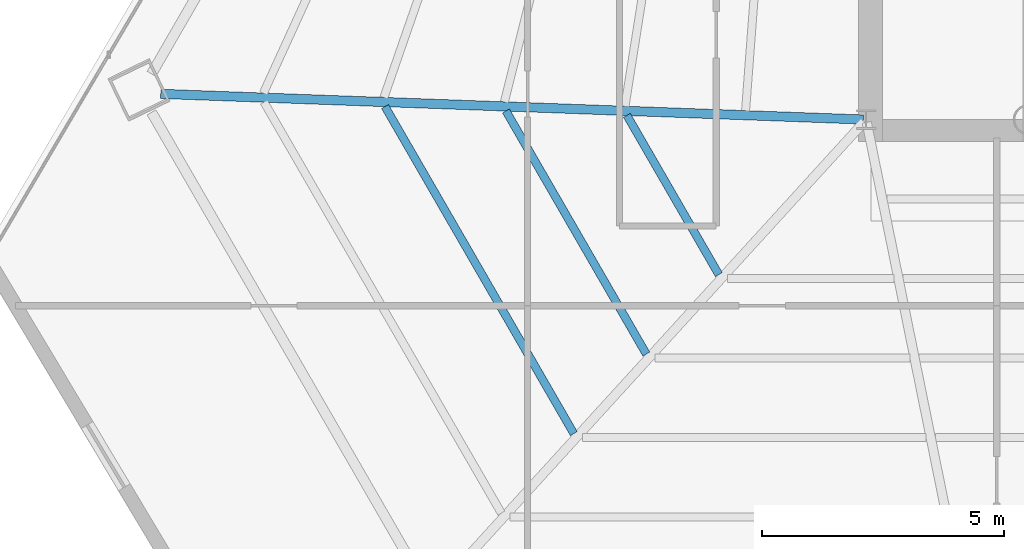
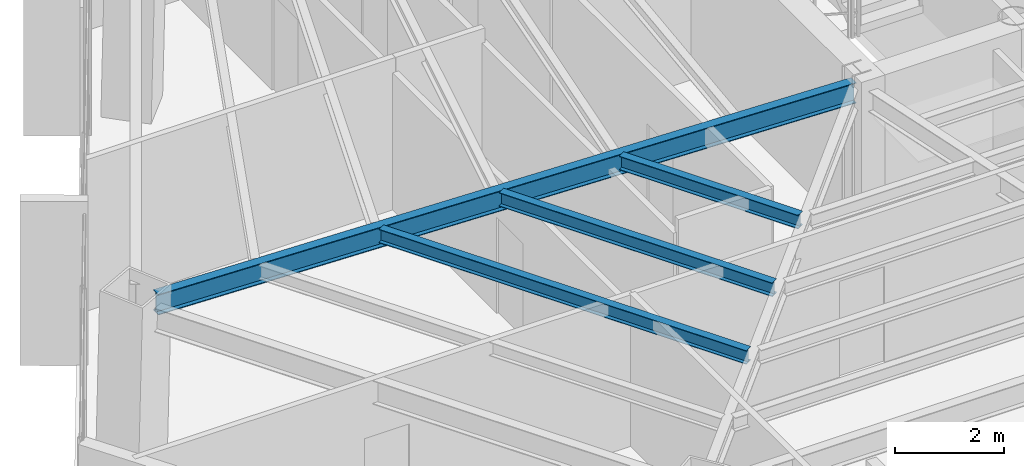
# One storey, part 7 of 41: 4 beams.
"""IFC4 building model written with IfcOpenShell, lengths in metres."""

from ifc_helpers import new_model, si_unit, direction, frame, origin, origin_2d, place, context, subcontext, project, spatial, i_section, extrude, source, transform, mapped, material, material_profile, profile_set, type_object, type_shapes, element, save


model = new_model("IFC4")

# Units and contexts
model_context = context("Model", 3, precision=1e-05, world=origin(), true_north=direction((0.0, 1.0)))
body_context = subcontext(model_context, "Body", "Model", "MODEL_VIEW")
ifc_project = project(units=[si_unit("LENGTHUNIT", "METRE"), si_unit("AREAUNIT", "SQUARE_METRE"), si_unit("VOLUMEUNIT", "CUBIC_METRE"), si_unit("PLANEANGLEUNIT", "RADIAN"), si_unit("MASSUNIT", "GRAM", prefix="KILO")], contexts=[model_context])

# Site, building, storey
site_placement = place(None, origin())
site = spatial("IfcSite", under=ifc_project, at=site_placement, CompositionType="ELEMENT")
building_placement = place(site_placement, origin())
building = spatial("IfcBuilding", under=site, at=building_placement, Name="Caelisora Broadcast Tower", CompositionType="ELEMENT")
storey_placement = place(building_placement, frame((0.0, 0.0, 162.14990234375)))
storey = spatial("IfcBuildingStorey", under=building, at=storey_placement, Name="L42", CompositionType="ELEMENT", Elevation=162.14990234375)

# Beams
ifc_material = material(Name="Steel Grade 350 (AS/NZS 3679.1)", Category="steel")
ifc_material_profile_1 = material_profile(ifc_material, i_section(OverallWidth=0.19091796875, OverallDepth=0.46044921875, WebThickness=0.010009765625, FlangeThickness=0.01611328125, at=origin_2d()), Name="Steel Grade 350 (AS/NZS 3679.1)")
ifc_profile_set_1 = profile_set([ifc_material_profile_1], Name="Steel Grade 350 (AS/NZS 3679.1)")
beam_type_1 = type_object("IfcBeamType", Name="PG06", PredefinedType="BEAM", material=ifc_profile_set_1)
shared_shape_1 = source(origin(), body_context, "Body", "SweptSolid", [
    extrude(i_section(OverallWidth=0.19091796875, OverallDepth=0.46044921875, WebThickness=0.010009765625, FlangeThickness=0.01611328125, at=origin_2d()), origin(), (0.0, 0.0, 1.0), 14.533935546875),
])
type_shapes(beam_type_1, [shared_shape_1])
beam_1_placement = place(storey_placement, frame((30.43994140625, 17.402099609375, 3.169921875), z_axis=(-0.999334797911, 0.036468639731, 0.0), x_axis=(-0.036468639731, -0.999334797911, 0.0)))
element("IfcBeam", 1, at=beam_1_placement, inside=storey, type_object=beam_type_1, Name="L42 beam PG06", PredefinedType="BEAM", context=body_context, shape_type="MappedRepresentation", body=[
    mapped(shared_shape_1, transform((0.0, 0.0, 0.0), scale=1.0)),
])
ifc_material_profile_2 = material_profile(ifc_material, i_section(OverallWidth=0.166015625, OverallDepth=0.30712890625, WebThickness=0.006591796875, FlangeThickness=0.01171875, at=origin_2d()), Name="Steel Grade 350 (AS/NZS 3679.1)")
ifc_profile_set_2 = profile_set([ifc_material_profile_2], Name="Steel Grade 350 (AS/NZS 3679.1)")
beam_type_2 = type_object("IfcBeamType", Name="SB03", PredefinedType="JOIST", material=ifc_profile_set_2)
shared_shape_2 = source(origin(), body_context, "Body", "SweptSolid", [
    extrude(i_section(OverallWidth=0.166015625, OverallDepth=0.30712890625, WebThickness=0.006591796875, FlangeThickness=0.01171875, at=origin_2d()), origin(), (0.0, 0.0, 1.0), 3.800048828125),
])
beam_2_placement = place(storey_placement, frame((25.5537109375, 17.487548828125, 3.24658203125), z_axis=(0.499967155389, -0.866044365799, 0.0), x_axis=(0.866044365799, 0.499967155389, 0.0)))
element("IfcBeam", 2, at=beam_2_placement, inside=storey, type_object=beam_type_2, Name="L42 beam SB03", PredefinedType="JOIST", context=body_context, shape_type="MappedRepresentation", body=[
    mapped(shared_shape_2, transform((0.0, 0.0, 0.0), scale=1.0)),
])
shared_shape_3 = source(origin(), body_context, "Body", "SweptSolid", [
    extrude(i_section(OverallWidth=0.166015625, OverallDepth=0.30712890625, WebThickness=0.006591796875, FlangeThickness=0.01171875, at=origin_2d()), origin(), (0.0, 0.0, 1.0), 5.80322265625),
])
beam_3_placement = place(storey_placement, frame((23.052978515625, 17.57861328125, 3.24658203125), z_axis=(0.500007721242, -0.866020945878, 0.0), x_axis=(0.866020945878, 0.500007721242, 0.0)))
element("IfcBeam", 3, at=beam_3_placement, inside=storey, type_object=beam_type_2, Name="L42 beam SB03", PredefinedType="JOIST", context=body_context, shape_type="MappedRepresentation", body=[
    mapped(shared_shape_3, transform((0.0, 0.0, 0.0), scale=1.0)),
])
shared_shape_4 = source(origin(), body_context, "Body", "SweptSolid", [
    extrude(i_section(OverallWidth=0.166015625, OverallDepth=0.30712890625, WebThickness=0.006591796875, FlangeThickness=0.01171875, at=origin_2d()), origin(), (0.0, 0.0, 1.0), 7.806640625),
])
type_shapes(beam_type_2, [shared_shape_2, shared_shape_3, shared_shape_4])
beam_4_placement = place(storey_placement, frame((20.55224609375, 17.669921875, 3.24658203125), z_axis=(0.500023837935, -0.866011640509, 0.0), x_axis=(0.866011640509, 0.500023837935, 0.0)))
element("IfcBeam", 4, at=beam_4_placement, inside=storey, type_object=beam_type_2, Name="L42 beam SB03", PredefinedType="JOIST", context=body_context, shape_type="MappedRepresentation", body=[
    mapped(shared_shape_4, transform((0.0, 0.0, 0.0), scale=1.0)),
])

save(model, "model.ifc")
